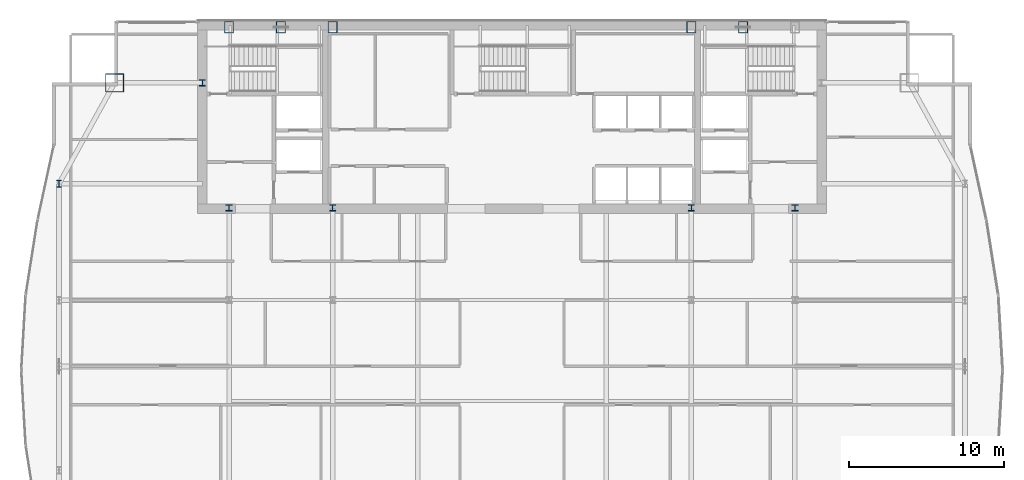
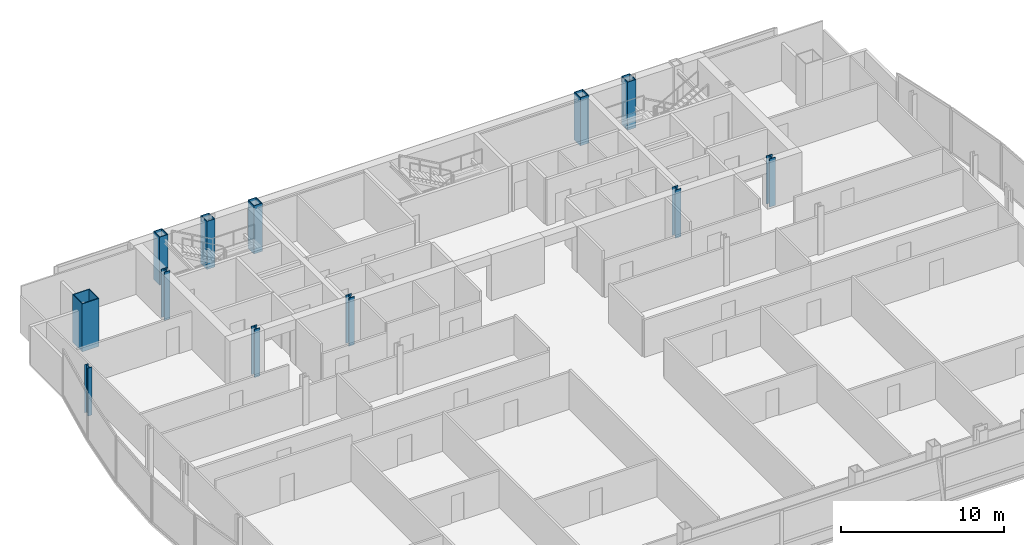
# One storey, part 3 of 30: 12 columns.
"""IFC4 building model written with IfcOpenShell, lengths in metres."""

from ifc_helpers import new_model, si_unit, direction, frame, origin, origin_2d, place, context, subcontext, project, spatial, hollow_rectangle, i_section, extrude, material, material_profile, profile_set, type_object, element, save


model = new_model("IFC4")

# Units and contexts
model_context = context("Model", 3, precision=1e-05, world=origin(), true_north=direction((0.0, 1.0)))
body_context = subcontext(model_context, "Body", "Model", "MODEL_VIEW")
ifc_project = project(units=[si_unit("LENGTHUNIT", "METRE"), si_unit("AREAUNIT", "SQUARE_METRE"), si_unit("VOLUMEUNIT", "CUBIC_METRE"), si_unit("PLANEANGLEUNIT", "RADIAN"), si_unit("MASSUNIT", "GRAM", prefix="KILO")], contexts=[model_context])

# Site, building, storey
site_placement = place(None, origin())
site = spatial("IfcSite", under=ifc_project, at=site_placement, CompositionType="ELEMENT")
building_placement = place(site_placement, origin())
building = spatial("IfcBuilding", under=site, at=building_placement, Name="Khoronbel Lancet Exchange", CompositionType="ELEMENT")
storey_placement = place(building_placement, frame((0.0, 0.0, 217.39990234375)))
storey = spatial("IfcBuildingStorey", under=building, at=storey_placement, Name="L55", CompositionType="ELEMENT", Elevation=217.39990234375)

# Columns
ifc_material_1 = material(Name="Steel S460", Category="steel")
ifc_material_profile_1 = material_profile(ifc_material_1, hollow_rectangle(XDim=0.60009765625, YDim=0.75, WallThickness=0.044921875, at=origin_2d()), Name="BOX 750x600x45")
ifc_profile_set_1 = profile_set([ifc_material_profile_1], Name="Steel S460")
column_type_1 = type_object("IfcColumnType", Name="COL-EC3", PredefinedType="COLUMN", material=ifc_profile_set_1)
for number, where, z_axis, x_axis, name in (
    (1, (18.22509765625, 53.280029296875, 0.0), (0.0, 0.0, 1.0), (1.0, 0.0, 0.0), "Structural column NC-W1 L55"),
    (2, (21.5625, 53.280029296875, 0.0), (0.0, 0.0, 1.0), (1.0, 0.0, 0.0), "Structural column NC-WM L55"),
    (3, (24.89990234375, 53.280029296875, 0.0), (0.0, 0.0, 1.0), (1.0, 0.0, 0.0), "Structural column NC-W2 L55"),
    (4, (48.0, 53.280029296875, 0.0), (0.0, 0.0, 1.0), (1.0, 0.0, 0.0), "Structural column NC-E1 L55"),
    (5, (51.33740234375, 53.280029296875, 0.0), (0.0, 0.0, 1.0), (1.0, 0.0, 0.0), "Structural column NC-EM L55"),
):
    element("IfcColumn", number, at=place(storey_placement, frame(where, z_axis=z_axis, x_axis=x_axis)), inside=storey, type_object=column_type_1, Name=name, PredefinedType="COLUMN", context=body_context, shape_type="SweptSolid", body=[
        extrude(hollow_rectangle(XDim=0.60009765625, YDim=0.75, WallThickness=0.044921875, at=origin_2d()), origin(), (0.0, 0.0, 1.0), 3.60009765625),
    ])
ifc_material_2 = material(Name="Steel S355", Category="steel")
ifc_material_profile_2 = material_profile(ifc_material_2, i_section(OverallWidth=0.406005859375, OverallDepth=0.416015625, WebThickness=0.02978515625, FlangeThickness=0.048095703125, at=origin_2d()), Name="HD 400x382")
ifc_profile_set_2 = profile_set([ifc_material_profile_2], Name="Steel S355")
column_type_2 = type_object("IfcColumnType", Name="COL-IC3", PredefinedType="COLUMN", material=ifc_profile_set_2)
for number, where, z_axis, x_axis, name in (
    (6, (16.5, 49.699951171875, 0.0), (0.0, 0.0, 1.0), (1.0, 0.0, 0.0), "Core-flank plumb transfer column CFW L55"),
    (7, (18.22509765625, 41.64990234375, 0.0), (0.0, 0.0, 1.0), (1.0, 0.0, 0.0), "Core-embedded steel column CTC1 L55"),
    (8, (24.89990234375, 41.64990234375, 0.0), (0.0, 0.0, 1.0), (1.0, 0.0, 0.0), "Core-embedded steel column CTC2 L55"),
    (9, (48.0, 41.64990234375, 0.0), (0.0, 0.0, 1.0), (1.0, 0.0, 0.0), "Core-embedded steel column CTC3 L55"),
    (10, (54.675048828125, 41.64990234375, 0.0), (0.0, 0.0, 1.0), (1.0, 0.0, 0.0), "Core-embedded steel column CTC4 L55"),
):
    element("IfcColumn", number, at=place(storey_placement, frame(where, z_axis=z_axis, x_axis=x_axis)), inside=storey, type_object=column_type_2, Name=name, PredefinedType="COLUMN", context=body_context, shape_type="SweptSolid", body=[
        extrude(i_section(OverallWidth=0.406005859375, OverallDepth=0.416015625, WebThickness=0.02978515625, FlangeThickness=0.048095703125, at=origin_2d()), origin(), (0.0, 0.0, 1.0), 3.60009765625),
    ])
ifc_material_profile_3 = material_profile(ifc_material_2, i_section(OverallWidth=0.300048828125, OverallDepth=0.449951171875, WebThickness=0.013916015625, FlangeThickness=0.02587890625, at=origin_2d()), Name="HEB 450")
ifc_profile_set_3 = profile_set([ifc_material_profile_3], Name="Steel S355")
column_type_3 = type_object("IfcColumnType", Name="COL-LC2", PredefinedType="COLUMN", material=ifc_profile_set_3)
column_1_placement = place(storey_placement, frame((7.27001953125, 43.199951171875, 0.0), z_axis=(0.0, 0.0, 1.0), x_axis=(1.0, 0.0, 0.0)))
element("IfcColumn", 11, at=column_1_placement, inside=storey, type_object=column_type_3, Name="Structural column WC-4 L55", PredefinedType="COLUMN", context=body_context, shape_type="SweptSolid", body=[
    extrude(i_section(OverallWidth=0.300048828125, OverallDepth=0.449951171875, WebThickness=0.013916015625, FlangeThickness=0.02587890625, at=origin_2d()), origin(), (0.0, 0.0, 1.0), 3.60009765625),
])
ifc_material_profile_4 = material_profile(ifc_material_1, hollow_rectangle(XDim=1.199951171875, YDim=1.199951171875, WallThickness=0.06005859375, at=origin_2d()), Name="BOX 1200x1200x60")
ifc_profile_set_4 = profile_set([ifc_material_profile_4], Name="Steel S460")
column_type_4 = type_object("IfcColumnType", Name="COL-MC5", PredefinedType="COLUMN", material=ifc_profile_set_4)
column_2_placement = place(storey_placement, frame((10.85009765625, 49.699951171875, 0.0), z_axis=(0.0, 0.0, 1.0), x_axis=(1.0, 0.0, 0.0)))
element("IfcColumn", 12, at=column_2_placement, inside=storey, type_object=column_type_4, Name="Structural column MC-NW L55", PredefinedType="COLUMN", context=body_context, shape_type="SweptSolid", body=[
    extrude(hollow_rectangle(XDim=1.199951171875, YDim=1.199951171875, WallThickness=0.06005859375, at=origin_2d()), origin(), (0.0, 0.0, 1.0), 3.60009765625),
])

save(model, "model.ifc")
